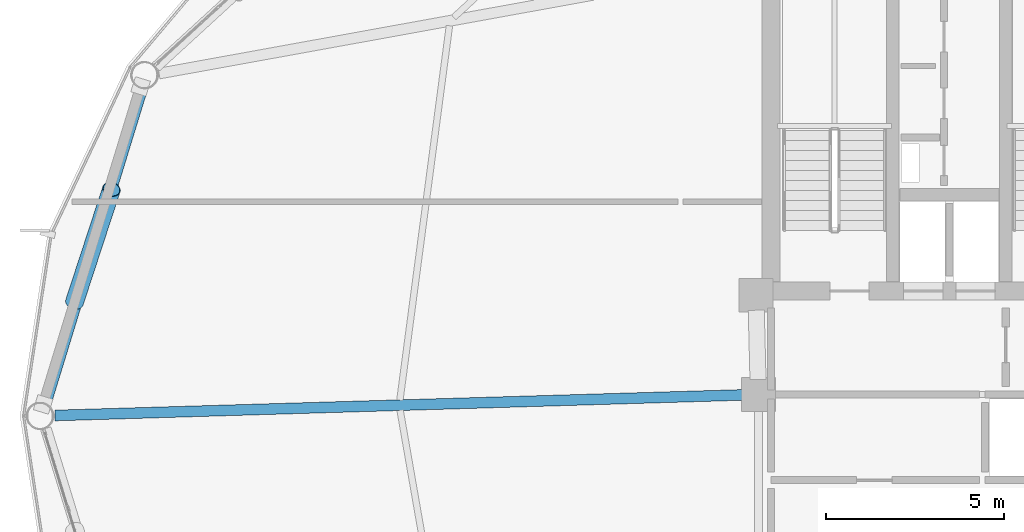
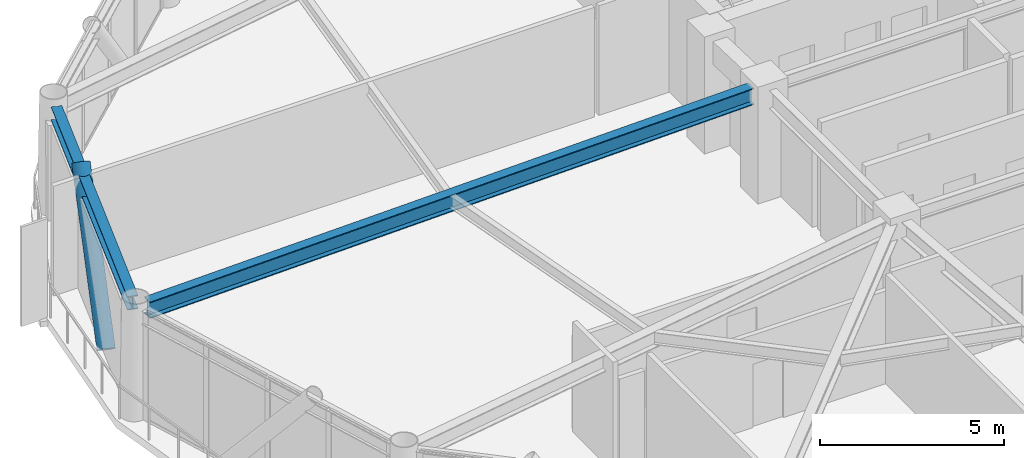
# One storey, part 10 of 26: 2 beams, 1 member.
"""IFC4 building model written with IfcOpenShell, lengths in metres."""

from ifc_helpers import new_model, si_unit, direction, frame, origin, origin_2d, place, context, subcontext, project, spatial, hollow_circle, i_section, extrude, material, material_profile, profile_set, type_object, element, save


model = new_model("IFC4")

# Units and contexts
model_context = context("Model", 3, precision=1e-05, world=origin(), true_north=direction((0.0, 1.0)))
body_context = subcontext(model_context, "Body", "Model", "MODEL_VIEW")
ifc_project = project(units=[si_unit("LENGTHUNIT", "METRE"), si_unit("AREAUNIT", "SQUARE_METRE"), si_unit("VOLUMEUNIT", "CUBIC_METRE"), si_unit("PLANEANGLEUNIT", "RADIAN"), si_unit("MASSUNIT", "GRAM", prefix="KILO")], contexts=[model_context])

# Site, building, storey
site_placement = place(None, origin())
site = spatial("IfcSite", under=ifc_project, at=site_placement, CompositionType="ELEMENT")
building_placement = place(site_placement, origin())
building = spatial("IfcBuilding", under=site, at=building_placement, Name="Varnakorn Sky Granary", CompositionType="ELEMENT")
storey_placement = place(building_placement, frame((0.0, 0.0, 138.300048828125)))
storey = spatial("IfcBuildingStorey", under=building, at=storey_placement, Name="L34", CompositionType="ELEMENT", Elevation=138.300048828125)

# Beams
ifc_material_1 = material(Name="Steel S355JR", Category="steel")
ifc_material_profile_1 = material_profile(ifc_material_1, i_section(OverallWidth=0.300048828125, OverallDepth=0.550048828125, WebThickness=0.014892578125, FlangeThickness=0.029052734375, at=origin_2d()), Name="HE 550 B")
ifc_profile_set_1 = profile_set([ifc_material_profile_1], Name="Steel S355JR")
beam_type_1 = type_object("IfcBeamType", Name="BM-RAD-Z3", PredefinedType="BEAM", material=ifc_profile_set_1)
beam_1_placement = place(storey_placement, frame((-2.769775390625, 0.58740234375, 3.364990234375), z_axis=(-0.999553450368, -0.02988142999, 0.0), x_axis=(0.02988142999, -0.999553450368, 0.0)))
element("IfcBeam", 1, at=beam_1_placement, inside=storey, type_object=beam_type_1, Name="Radial Floor Girder RG07 L34", PredefinedType="BEAM", context=body_context, shape_type="SweptSolid", body=[
    extrude(i_section(OverallWidth=0.300048828125, OverallDepth=0.550048828125, WebThickness=0.014892578125, FlangeThickness=0.029052734375, at=origin_2d()), origin(), (0.0, 0.0, 1.0), 19.2900390625),
])
ifc_material_profile_2 = material_profile(ifc_material_1, i_section(OverallWidth=0.300048828125, OverallDepth=0.449951171875, WebThickness=0.013916015625, FlangeThickness=0.02587890625, at=origin_2d()), Name="HE 450 B")
ifc_profile_set_2 = profile_set([ifc_material_profile_2], Name="Steel S355JR")
beam_type_2 = type_object("IfcBeamType", Name="BM-SPD-Z3", PredefinedType="SPANDREL", material=ifc_profile_set_2)
beam_2_placement = place(storey_placement, frame((-19.60498046875, 9.174072265625, 3.4150390625), z_axis=(-0.293065193807, -0.956092460057, 0.0), x_axis=(0.956092460057, -0.293065193807, 0.0)))
element("IfcBeam", 2, at=beam_2_placement, inside=storey, type_object=beam_type_2, Name="Perimeter Spandrel Ring Beam RB06 L34", PredefinedType="SPANDREL", context=body_context, shape_type="SweptSolid", body=[
    extrude(i_section(OverallWidth=0.300048828125, OverallDepth=0.449951171875, WebThickness=0.013916015625, FlangeThickness=0.02587890625, at=origin_2d()), origin(), (0.0, 0.0, 1.0), 9.2294921875),
])

# Member
ifc_material_2 = material(Name="Steel S460M", Category="steel")
ifc_material_profile_3 = material_profile(ifc_material_2, hollow_circle(Radius=0.25390625, WallThickness=0.01806640625, at=origin_2d()), Name="CHS 508x18")
ifc_profile_set_3 = profile_set([ifc_material_profile_3], Name="Steel S460M")
member_type = type_object("IfcMemberType", Name="MB-DIAG-T2", PredefinedType="BRACE", material=ifc_profile_set_3)
member_placement = place(storey_placement, frame((-21.507080078125, 3.1826171875, -0.130126953125), z_axis=(0.20143743631, 0.615511186427, 0.761950745545), x_axis=(-0.950398310475, 0.311035450464, 0.0)))
element("IfcMember", 3, at=member_placement, inside=storey, type_object=member_type, Name="Perimeter CHS Diagrid Brace DG06 L34", PredefinedType="BRACE", context=body_context, shape_type="SweptSolid", body=[
    extrude(hollow_circle(Radius=0.25390625, WallThickness=0.01806640625, at=origin_2d()), origin(), (0.0, 0.0, 1.0), 5.14501953125),
])

save(model, "model.ifc")
